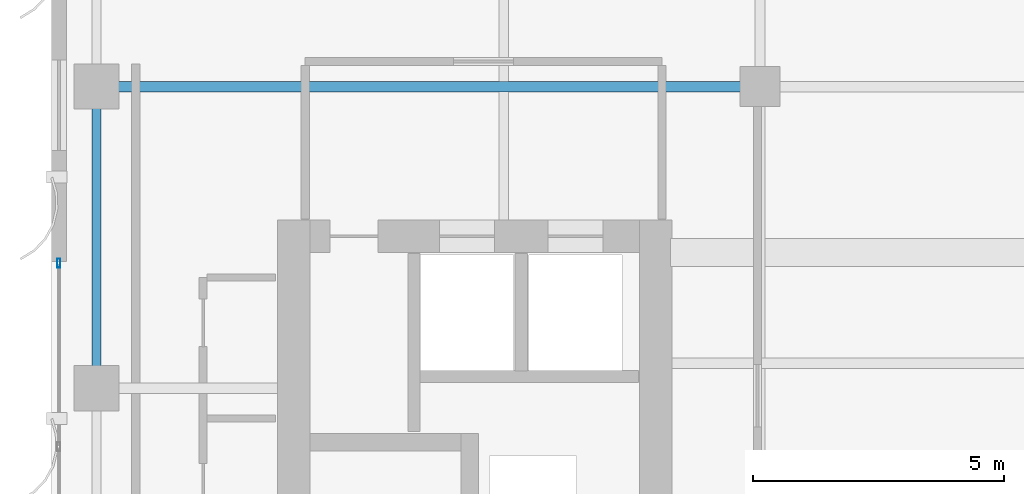
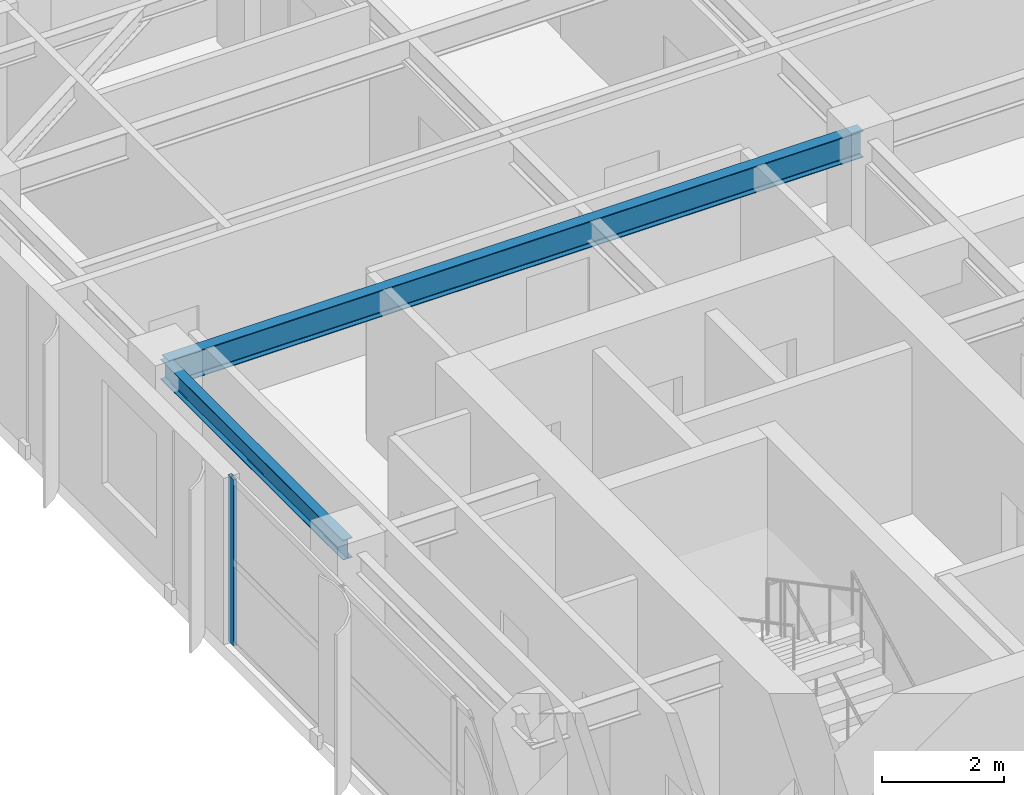
# One storey, part 9 of 25: 2 beams, 1 member, 1 element without a shape of its own.
"""IFC4 building model written with IfcOpenShell, lengths in metres."""

from ifc_helpers import new_model, si_unit, direction, frame, origin, origin_2d, place, context, subcontext, project, spatial, hollow_rectangle, i_section, extrude, source, transform, mapped, material, layer, layer_set, material_profile, profile_set, type_object, element, aggregate, save


model = new_model("IFC4")

# Units and contexts
model_context = context("Model", 3, precision=1e-05, world=origin(), true_north=direction((0.0, 1.0)))
body_context = subcontext(model_context, "Body", "Model", "MODEL_VIEW")
ifc_project = project(units=[si_unit("LENGTHUNIT", "METRE"), si_unit("AREAUNIT", "SQUARE_METRE"), si_unit("VOLUMEUNIT", "CUBIC_METRE"), si_unit("PLANEANGLEUNIT", "RADIAN"), si_unit("MASSUNIT", "GRAM", prefix="KILO")], contexts=[model_context])

# Site, building, storey
site_placement = place(None, origin())
site = spatial("IfcSite", under=ifc_project, at=site_placement, CompositionType="ELEMENT")
building_placement = place(site_placement, origin())
building = spatial("IfcBuilding", under=site, at=building_placement, Name="Khoralis Quay Care Tower", CompositionType="ELEMENT")
storey_placement = place(building_placement, frame((0.0, 0.0, 166.5)))
storey = spatial("IfcBuildingStorey", under=building, at=storey_placement, Name="L43", CompositionType="ELEMENT", Elevation=166.5)

# Beams
ifc_material_1 = material(Name="Steel S355", Category="steel")
ifc_material_profile_1 = material_profile(ifc_material_1, i_section(OverallWidth=0.179931640625, OverallDepth=0.39990234375, WebThickness=0.008544921875, FlangeThickness=0.013427734375, FilletRadius=0.02099609375, at=origin_2d()), Name="Steel S355")
ifc_profile_set_1 = profile_set([ifc_material_profile_1], Name="Steel S355")
beam_type_1 = type_object("IfcBeamType", Name="BM-IPE400", PredefinedType="SPANDREL", material=ifc_profile_set_1)
shared_shape_1 = source(origin(), body_context, "Body", "SweptSolid", [
    extrude(i_section(OverallWidth=0.179931640625, OverallDepth=0.39990234375, WebThickness=0.008544921875, FlangeThickness=0.013427734375, FilletRadius=0.02099609375, at=origin_2d()), origin(), (0.0, 0.0, 1.0), 6.0),
])
beam_1_placement = place(storey_placement, frame((3.89990234375, 24.0, 3.139892578125), z_axis=(0.0, 1.0, 0.0), x_axis=(-1.0, 0.0, 0.0)))
element("IfcBeam", 1, at=beam_1_placement, inside=storey, type_object=beam_type_1, Name="BM-TSP-L43-12", PredefinedType="SPANDREL", context=body_context, shape_type="MappedRepresentation", body=[
    mapped(shared_shape_1, transform((0.0, 0.0, 0.0), scale=1.0)),
])
ifc_material_profile_2 = material_profile(ifc_material_1, i_section(OverallWidth=0.208984375, OverallDepth=0.532958984375, WebThickness=0.01025390625, FlangeThickness=0.015625, FilletRadius=0.01611328125, at=origin_2d()), Name="Steel S355")
ifc_profile_set_2 = profile_set([ifc_material_profile_2], Name="Steel S355")
beam_type_2 = type_object("IfcBeamType", Name="BM-W530X92", PredefinedType="BEAM", material=ifc_profile_set_2)
shared_shape_2 = source(origin(), body_context, "Body", "SweptSolid", [
    extrude(i_section(OverallWidth=0.208984375, OverallDepth=0.532958984375, WebThickness=0.01025390625, FlangeThickness=0.015625, FilletRadius=0.01611328125, at=origin_2d()), origin(), (0.0, 0.0, 1.0), 13.2001953125),
])
beam_2_placement = place(storey_placement, frame((3.89990234375, 30.0, 3.073486328125), z_axis=(1.0, 0.0, 0.0), x_axis=(0.0, 1.0, 0.0)))
element("IfcBeam", 2, at=beam_2_placement, inside=storey, type_object=beam_type_2, Name="BM-TGXW-L43-300", PredefinedType="BEAM", context=body_context, shape_type="MappedRepresentation", body=[
    mapped(shared_shape_2, transform((0.0, 0.0, 0.0), scale=1.0)),
])

# Curtain wall, member
ifc_material_2 = material(Name="Pale anodised aluminium", Category="aluminium")
ifc_layer = layer(ifc_material_2, 0.159912109375)
ifc_layer_set = layer_set([ifc_layer], Name="Pale anodised aluminium")
curtain_wall_type = type_object("IfcCurtainWallType", Name="CW-SYS-Z3", PredefinedType="NOTDEFINED", material=ifc_layer_set)
curtain_wall_placement = place(storey_placement, origin())
curtain_wall = element("IfcCurtainWall", 3, at=curtain_wall_placement, inside=storey, type_object=curtain_wall_type, Name="L43 Unitised Curtain Wall CW-L43-P1-E15", PredefinedType="NOTDEFINED")
ifc_material_profile_3 = material_profile(ifc_material_2, hollow_rectangle(XDim=0.06494140625, YDim=0.179931640625, WallThickness=0.00390625, at=origin_2d()), Name="Pale anodised aluminium")
ifc_profile_set_3 = profile_set([ifc_material_profile_3], Name="Pale anodised aluminium")
member_type = type_object("IfcMemberType", Name="CW-MUL-180", PredefinedType="MULLION", material=ifc_profile_set_3)
shared_shape_3 = source(origin(), body_context, "Body", "SweptSolid", [
    extrude(hollow_rectangle(XDim=0.06494140625, YDim=0.179931640625, WallThickness=0.00390625, at=origin_2d()), origin(), (0.0, 0.0, 1.0), 3.340087890625),
])
member_placement = place(storey_placement, frame((3.14990234375, 26.489990234375, 0.0), z_axis=(0.0, 0.0, 1.0), x_axis=(1.0, 0.0, 0.0)))
member = element("IfcMember", 4, at=member_placement, type_object=member_type, Name="CW3 mullion 1", PredefinedType="MULLION", context=body_context, shape_type="MappedRepresentation", body=[
    mapped(shared_shape_3, transform((0.0, 0.0, 0.0), scale=1.0)),
])
aggregate(curtain_wall, [member])

save(model, "model.ifc")
